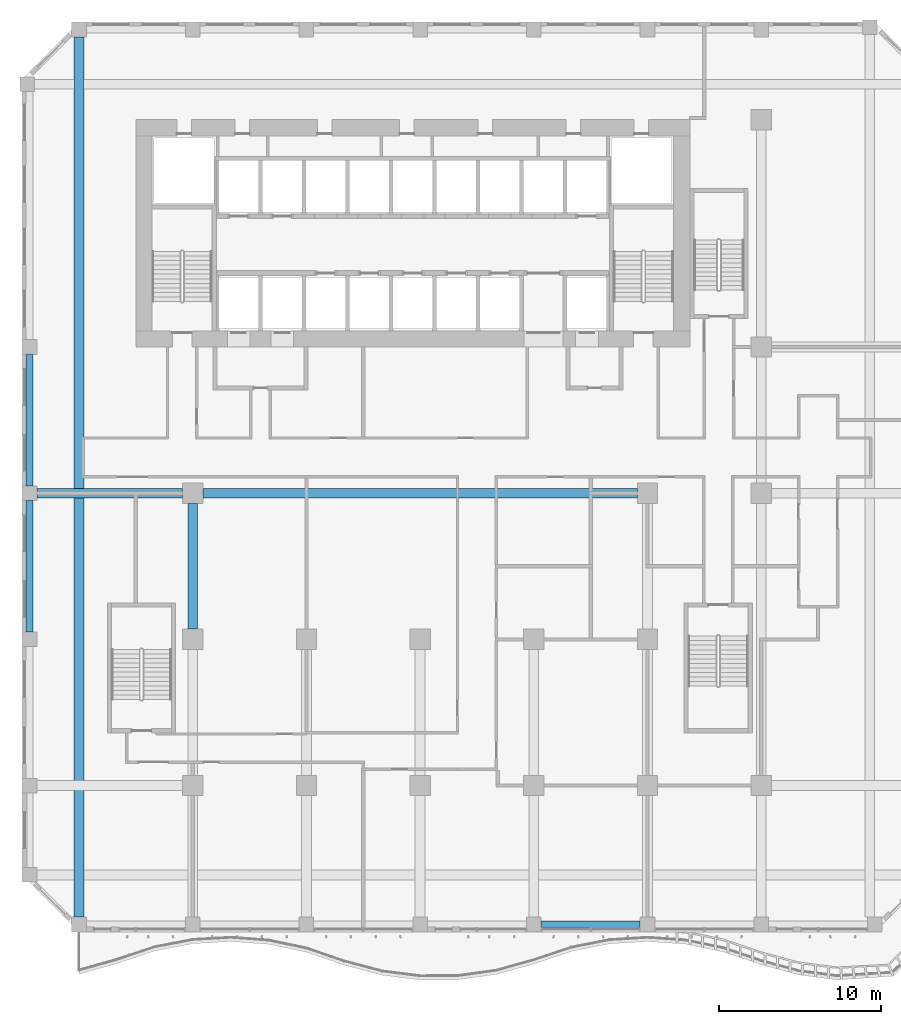
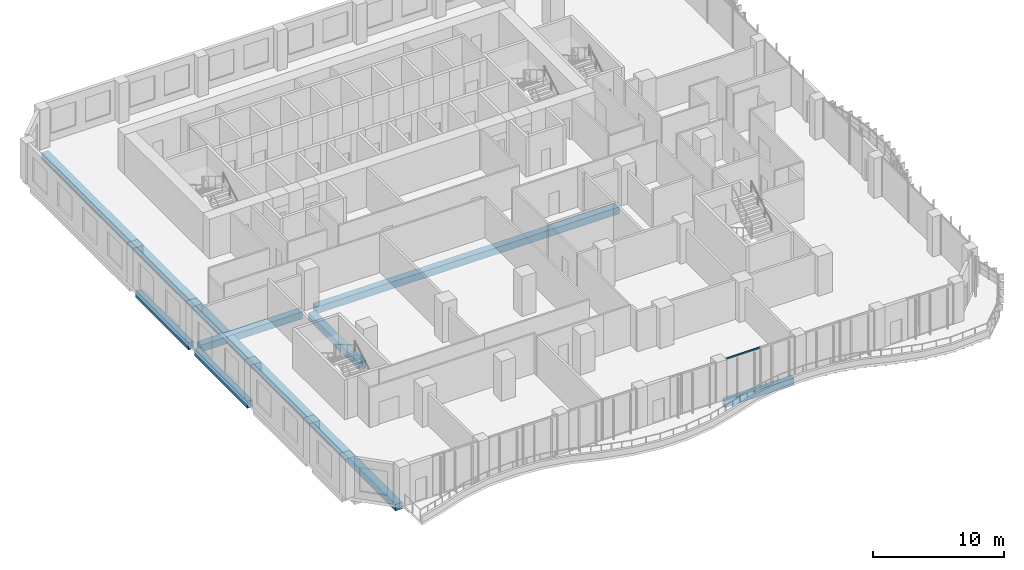
# One storey, part 5 of 28: 7 beams, 1 member, 1 element without a shape of its own.
"""IFC4 building model written with IfcOpenShell, lengths in metres."""

import ifcopenshell
import ifcopenshell.guid

model = None  # the IFC model being written
_history = None  # IfcOwnerHistory: only IFC2X3 demands one
_inside = {}  # id of a spatial element -> (the spatial element, [elements in it])
_under = {}  # id of a project, library or spatial element -> (it, [spatial elements below it])
_declared = {}  # id of a project -> (the project, [libraries it declares])
_typed = {}  # id of a type object -> (the type object, [elements of that type])
_made_of = {}  # id of a material, layer set ... -> (it, [elements and type objects made of it])


def new_model(schema):
    """Start an empty IFC model of exactly this schema.

    Asked for "IFC4X3", IfcOpenShell would pick the latest addendum, in which some entities
    have other attributes; the version numbers below select the first issue.
    IFC2X3 requires an IfcOwnerHistory on every rooted entity: one is made here for all.
    """
    global model, _history
    if schema == "IFC4X3":
        model = ifcopenshell.file(schema_version=(4, 3, 0, 0))
    else:
        model = ifcopenshell.file(schema=schema)
    _inside.clear()
    _under.clear()
    _declared.clear()
    _typed.clear()
    _made_of.clear()
    _history = None
    if model.schema == "IFC2X3":
        org = make("IfcOrganization", Name="unknown")
        user = make(
            "IfcPersonAndOrganization",
            ThePerson=make("IfcPerson", FamilyName="unknown"),
            TheOrganization=org,
        )
        app = make(
            "IfcApplication",
            ApplicationDeveloper=org,
            Version="unknown",
            ApplicationFullName="unknown",
            ApplicationIdentifier="unknown",
        )
        _history = make(
            "IfcOwnerHistory",
            OwningUser=user,
            OwningApplication=app,
            ChangeAction="ADDED",
            CreationDate=0,
        )
    return model


def make(cls, **values):
    """One entity of the class cls with the attributes given. An attribute that is None is left unset."""
    return model.create_entity(
        cls, **{name: value for name, value in values.items() if value is not None}
    )


def rooted(cls, **values):
    """An entity with a GlobalId (a new one), such as an element, a storey or a relation."""
    return make(cls, GlobalId=ifcopenshell.guid.new(), OwnerHistory=_history, **values)


def si_unit(unit_type, name, prefix=None):
    """IfcSIUnit, for example si_unit("LENGTHUNIT", "METRE", prefix="MILLI")."""
    return make("IfcSIUnit", UnitType=unit_type, Prefix=prefix, Name=name)


def assignment(units):
    """IfcUnitAssignment: the units of a project."""
    return None if units is None else make("IfcUnitAssignment", Units=units)


def point(xyz):
    """IfcCartesianPoint."""
    return None if xyz is None else make("IfcCartesianPoint", Coordinates=xyz)


def direction(xyz):
    """IfcDirection."""
    return None if xyz is None else make("IfcDirection", DirectionRatios=xyz)


def frame(location, z_axis=None, x_axis=None):
    """IfcAxis2Placement3D, a coordinate frame: its origin and axes. An axis left out is left unset."""
    return make(
        "IfcAxis2Placement3D",
        Location=point(location),
        Axis=direction(z_axis),
        RefDirection=direction(x_axis),
    )


def frame_2d(location, x_axis=None):
    """IfcAxis2Placement2D, a coordinate frame in the plane: its origin and x axis."""
    return make(
        "IfcAxis2Placement2D", Location=point(location), RefDirection=direction(x_axis)
    )


def origin():
    """The frame at (0, 0, 0) with its axes left unset."""
    return frame((0.0, 0.0, 0.0))


def origin_2d():
    """The frame at (0, 0) in the plane with its x axis left unset."""
    return frame_2d((0.0, 0.0))


def place(relative_to, where):
    """IfcLocalPlacement: puts the frame where relative to a parent placement (None: the world)."""
    return make(
        "IfcLocalPlacement", PlacementRelTo=relative_to, RelativePlacement=where
    )


def context(
    kind, dimensions, precision=None, world=None, true_north=None, identifier=None
):
    """IfcGeometricRepresentationContext, for example the 3D "Model" context."""
    return make(
        "IfcGeometricRepresentationContext",
        ContextIdentifier=identifier,
        ContextType=kind,
        CoordinateSpaceDimension=dimensions,
        Precision=precision,
        WorldCoordinateSystem=world,
        TrueNorth=true_north,
    )


def subcontext(parent, identifier, kind, view, scale=None):
    """IfcGeometricRepresentationSubContext, for example "Body" below "Model"."""
    return make(
        "IfcGeometricRepresentationSubContext",
        ContextIdentifier=identifier,
        ContextType=kind,
        ParentContext=parent,
        TargetScale=scale,
        TargetView=view,
    )


def project(units=None, contexts=None):
    """IfcProject with its units and contexts."""
    return rooted(
        "IfcProject",
        Name="project",
        RepresentationContexts=contexts,
        UnitsInContext=assignment(units),
    )


def spatial(cls, under=None, at=None, **own):
    """A site, building, storey or space (cls), placed at a placement, below another one or the project."""
    s = rooted(cls, ObjectPlacement=at, **own)
    if under is not None:
        _under.setdefault(under.id(), (under, []))[1].append(s)
    return s


def profile(cls, at=None, kind="AREA", **sizes):
    """A parametric profile (cls). Its sizes go by their IFC names, for example OverallWidth=200.0."""
    return make(cls, ProfileType=kind, Position=at, **sizes)


def rectangle(**sizes):
    """IfcRectangleProfileDef."""
    return profile("IfcRectangleProfileDef", **sizes)


def extrude(swept, where, along, depth):
    """IfcExtrudedAreaSolid: the profile swept, set in the frame where, extruded along a direction by depth."""
    return make(
        "IfcExtrudedAreaSolid",
        SweptArea=swept,
        Position=where,
        ExtrudedDirection=direction(along),
        Depth=depth,
    )


def shape(context_of_items, identifier, shape_type, items):
    """IfcShapeRepresentation: the items that make up one representation, for example the "Body"."""
    return make(
        "IfcShapeRepresentation",
        ContextOfItems=context_of_items,
        RepresentationIdentifier=identifier,
        RepresentationType=shape_type,
        Items=items,
    )


def source(mapping_origin, context_of_items, identifier, shape_type, items):
    """IfcRepresentationMap: a shape defined once, which mapped items show again and again."""
    return make(
        "IfcRepresentationMap",
        MappingOrigin=mapping_origin,
        MappedRepresentation=shape(context_of_items, identifier, shape_type, items),
    )


def transform(
    local_origin,
    x_axis=None,
    y_axis=None,
    z_axis=None,
    scale=None,
    scale2=None,
    scale3=None,
    uniform=True,
):
    """IfcCartesianTransformationOperator3D, or its non-uniform kind. x_axis, y_axis, z_axis: its Axis1, 2, 3."""
    if uniform:
        return make(
            "IfcCartesianTransformationOperator3D",
            Axis1=direction(x_axis),
            Axis2=direction(y_axis),
            LocalOrigin=point(local_origin),
            Scale=scale,
            Axis3=direction(z_axis),
        )
    return make(
        "IfcCartesianTransformationOperator3DnonUniform",
        Axis1=direction(x_axis),
        Axis2=direction(y_axis),
        LocalOrigin=point(local_origin),
        Scale=scale,
        Axis3=direction(z_axis),
        Scale2=scale2,
        Scale3=scale3,
    )


def mapped(mapping_source, mapping_target):
    """IfcMappedItem: shows the shape of a source again, moved by a transform."""
    return make(
        "IfcMappedItem", MappingSource=mapping_source, MappingTarget=mapping_target
    )


def material(Name=None, Category=None):
    """IfcMaterial."""
    return make("IfcMaterial", Name=Name, Category=Category)


def material_profile(
    of_material, cross_section, Name=None, Category=None, Priority=None
):
    """IfcMaterialProfile: a cross section and its material."""
    return make(
        "IfcMaterialProfile",
        Name=Name,
        Material=of_material,
        Profile=cross_section,
        Priority=Priority,
        Category=Category,
    )


def profile_set(profiles, Name=None, composite=None):
    """IfcMaterialProfileSet."""
    return make(
        "IfcMaterialProfileSet",
        Name=Name,
        MaterialProfiles=profiles,
        CompositeProfile=composite,
    )


def made_of(thing, what):
    """Note that an element or type object is made of a material, layer set ...; save() writes the relation."""
    if what is not None:
        _made_of.setdefault(what.id(), (what, []))[1].append(thing)
    return thing


def type_object(cls, material=None, **own):
    """A type object (cls), such as IfcWallType, which elements share."""
    return made_of(rooted(cls, **own), material)


def element(
    cls,
    number,
    at=None,
    inside=None,
    cuts=None,
    type_object=None,
    material=None,
    context=None,
    identifier="Body",
    shape_type=None,
    held_by="IfcProductDefinitionShape",
    body=None,
    shapes=None,
    **own,
):
    """One element of the class cls, such as IfcWall. Its Tag is "e" and its number.

    at: its placement. inside: the storey or other place that contains it. cuts: it is an
    opening in that element (IfcRelVoidsElement). A single representation is given by context,
    identifier, shape_type and body (its items); several are given by shapes. held_by: the class
    of the entity that holds the representations. save() writes the other relations.
    """
    e = rooted(cls, Tag="e%d" % number, ObjectPlacement=at, **own)
    if body is not None:
        shapes = [shape(context, identifier, shape_type, body)]
    if shapes is not None:
        e.Representation = make(held_by, Representations=shapes)
    if inside is not None:
        _inside.setdefault(inside.id(), (inside, []))[1].append(e)
    if cuts is not None:
        rooted(
            "IfcRelVoidsElement", RelatingBuildingElement=cuts, RelatedOpeningElement=e
        )
    if type_object is not None:
        _typed.setdefault(type_object.id(), (type_object, []))[1].append(e)
    return made_of(e, material)


def aggregate(whole, parts):
    """IfcRelAggregates: a whole, such as a stair, and the parts it consists of."""
    return rooted("IfcRelAggregates", RelatingObject=whole, RelatedObjects=parts)


def save(model, path):
    """Write the relations noted so far, then the file.

    IfcRelAggregates (storeys below a building ...), IfcRelContainedInSpatialStructure (elements
    in a storey), IfcRelDefinesByType, IfcRelAssociatesMaterial and IfcRelDeclares: one each for
    every whole, place, type object, material and project.
    """
    for whole, parts in _under.values():
        aggregate(whole, parts)
    for where, things in _inside.values():
        rooted(
            "IfcRelContainedInSpatialStructure",
            RelatedElements=things,
            RelatingStructure=where,
        )
    for kind, things in _typed.values():
        rooted("IfcRelDefinesByType", RelatedObjects=things, RelatingType=kind)
    for what, things in _made_of.values():
        rooted("IfcRelAssociatesMaterial", RelatedObjects=things, RelatingMaterial=what)
    for by, libraries in _declared.values():
        rooted("IfcRelDeclares", RelatingContext=by, RelatedDefinitions=libraries)
    model.write(path)


model = new_model("IFC4")

# Units and contexts
model_context = context("Model", 3, precision=1e-05, world=origin(), true_north=direction((0.0, 1.0)))
body_context = subcontext(model_context, "Body", "Model", "MODEL_VIEW")
ifc_project = project(units=[si_unit("LENGTHUNIT", "METRE"), si_unit("AREAUNIT", "SQUARE_METRE"), si_unit("VOLUMEUNIT", "CUBIC_METRE"), si_unit("PLANEANGLEUNIT", "RADIAN"), si_unit("MASSUNIT", "GRAM", prefix="KILO")], contexts=[model_context])

# Site, building, storey
site_placement = place(None, origin())
site = spatial("IfcSite", under=ifc_project, at=site_placement, CompositionType="ELEMENT")
building_placement = place(site_placement, origin())
building = spatial("IfcBuilding", under=site, at=building_placement, Name="Kilnfold Tower and Market Hall", CompositionType="ELEMENT")
storey_placement = place(building_placement, frame((0.0, 0.0, 87.199951171875)))
storey = spatial("IfcBuildingStorey", under=building, at=storey_placement, Name="L20", CompositionType="ELEMENT", Elevation=87.199951171875)

# Beams
ifc_material_1 = material(Name="Concrete C45", Category="concrete")
ifc_material_profile_1 = material_profile(ifc_material_1, rectangle(XDim=0.449951171875, YDim=0.64990234375, at=origin_2d()), Name="RC 450x650")
ifc_profile_set_1 = profile_set([ifc_material_profile_1], Name="Concrete C45")
beam_type_1 = type_object("IfcBeamType", Name="EDGE BEAM 450X650 C45", PredefinedType="BEAM", material=ifc_profile_set_1)
shared_shape_1 = source(origin(), body_context, "Body", "SweptSolid", [
    extrude(rectangle(XDim=0.449951171875, YDim=0.64990234375, at=origin_2d()), origin(), (0.0, 0.0, 1.0), 6.10009765625),
])
beam_1_placement = place(storey_placement, frame((8.949951171875, -27.550048828125, -0.60498046875), z_axis=(1.0, 0.0, 0.0), x_axis=(0.0, 1.0, 0.0)))
element("IfcBeam", 1, at=beam_1_placement, inside=storey, type_object=beam_type_1, Name="Beam EB650-B2.64", PredefinedType="BEAM", context=body_context, shape_type="MappedRepresentation", body=[
    mapped(shared_shape_1, transform((0.0, 0.0, 0.0))),
])
shared_shape_2 = source(origin(), body_context, "Body", "SweptSolid", [
    extrude(rectangle(XDim=0.449951171875, YDim=0.64990234375, at=origin_2d()), origin(), (0.0, 0.0, 1.0), 8.10009765625),
])
for number, where, z_axis, x_axis, name in (
    (2, (-22.550048828125, -9.550048828125, -0.60498046875), (0.0, 1.0, 0.0), (-1.0, 0.0, 0.0), "Beam EB650-B2.39"),
    (3, (-22.550048828125, -0.550048828125, -0.60498046875), (0.0, 1.0, 0.0), (-1.0, 0.0, 0.0), "Beam EB650-B2.40"),
):
    element("IfcBeam", number, at=place(storey_placement, frame(where, z_axis=z_axis, x_axis=x_axis)), inside=storey, type_object=beam_type_1, Name=name, PredefinedType="BEAM", context=body_context, shape_type="MappedRepresentation", body=[
        mapped(shared_shape_2, transform((0.0, 0.0, 0.0))),
    ])
ifc_material_2 = material(Name="Concrete C45", Category="concrete")
ifc_material_profile_2 = material_profile(ifc_material_2, rectangle(XDim=0.60009765625, YDim=0.64990234375, at=origin_2d()), Name="RC 600x650")
ifc_profile_set_2 = profile_set([ifc_material_profile_2], Name="Concrete C45")
beam_type_2 = type_object("IfcBeamType", Name="BEAM 600X650 C45", PredefinedType="BEAM", material=ifc_profile_set_2)
shared_shape_3 = source(origin(), body_context, "Body", "SweptSolid", [
    extrude(rectangle(XDim=0.60009765625, YDim=0.64990234375, at=origin_2d()), origin(), (0.0, 0.0, 1.0), 54.2001953125),
])
beam_2_placement = place(storey_placement, frame((-19.5, -27.10009765625, -0.60498046875), z_axis=(0.0, 1.0, 0.0), x_axis=(-1.0, 0.0, 0.0)))
element("IfcBeam", 4, at=beam_2_placement, inside=storey, type_object=beam_type_2, Name="Beam BB650-B2.42", PredefinedType="BEAM", context=body_context, shape_type="MappedRepresentation", body=[
    mapped(shared_shape_3, transform((0.0, 0.0, 0.0))),
])
shared_shape_4 = source(origin(), body_context, "Body", "SweptSolid", [
    extrude(rectangle(XDim=0.60009765625, YDim=0.64990234375, at=origin_2d()), origin(), (0.0, 0.0, 1.0), 8.97509765625),
])
beam_3_placement = place(storey_placement, frame((-22.10009765625, -1.0, -0.60498046875), z_axis=(1.0, 0.0, 0.0), x_axis=(0.0, 1.0, 0.0)))
element("IfcBeam", 5, at=beam_3_placement, inside=storey, type_object=beam_type_2, Name="Beam BB650-B2.70", PredefinedType="BEAM", context=body_context, shape_type="MappedRepresentation", body=[
    mapped(shared_shape_4, transform((0.0, 0.0, 0.0))),
])
shared_shape_5 = source(origin(), body_context, "Body", "SweptSolid", [
    extrude(rectangle(XDim=0.60009765625, YDim=0.64990234375, at=origin_2d()), origin(), (0.0, 0.0, 1.0), 26.75),
])
beam_4_placement = place(storey_placement, frame((-11.875, -1.0, -0.60498046875), z_axis=(1.0, 0.0, 0.0), x_axis=(0.0, 1.0, 0.0)))
element("IfcBeam", 6, at=beam_4_placement, inside=storey, type_object=beam_type_2, Name="Beam BB650-B2.71", PredefinedType="BEAM", context=body_context, shape_type="MappedRepresentation", body=[
    mapped(shared_shape_5, transform((0.0, 0.0, 0.0))),
])
shared_shape_6 = source(origin(), body_context, "Body", "SweptSolid", [
    extrude(rectangle(XDim=0.60009765625, YDim=0.64990234375, at=origin_2d()), origin(), (0.0, 0.0, 1.0), 7.75),
])
beam_5_placement = place(storey_placement, frame((-12.5, -9.375, -0.60498046875), z_axis=(0.0, 1.0, 0.0), x_axis=(-1.0, 0.0, 0.0)))
element("IfcBeam", 7, at=beam_5_placement, inside=storey, type_object=beam_type_2, Name="Beam BB650-B2.84", PredefinedType="BEAM", context=body_context, shape_type="MappedRepresentation", body=[
    mapped(shared_shape_6, transform((0.0, 0.0, 0.0))),
])

# Curtain wall, member
ifc_material_3 = material(Name="Aluminium and double glazing", Category="aluminium")
curtain_wall_type = type_object("IfcCurtainWallType", Name="CW OF1 VALLEY GLAZING", PredefinedType="NOTDEFINED", material=ifc_material_3)
curtain_wall_placement = place(storey_placement, origin())
curtain_wall = element("IfcCurtainWall", 8, at=curtain_wall_placement, inside=storey, type_object=curtain_wall_type, Name="Curtain wall CW1 L20 S", PredefinedType="NOTDEFINED")
ifc_material_4 = material(Name="Aluminium", Category="aluminium")
ifc_material_profile_3 = material_profile(ifc_material_4, rectangle(XDim=0.06005859375, YDim=0.139892578125, at=origin_2d()), Name="TRANSOM 60x140")
ifc_profile_set_3 = profile_set([ifc_material_profile_3], Name="Aluminium")
member_type = type_object("IfcMemberType", Name="TRANSOM 60X140", PredefinedType="USERDEFINED", material=ifc_profile_set_3)
shared_shape_7 = source(origin(), body_context, "Body", "SweptSolid", [
    extrude(rectangle(XDim=0.06005859375, YDim=0.139892578125, at=origin_2d()), origin(), (0.0, 0.0, 1.0), 2.929931640625),
])
member_placement = place(storey_placement, frame((9.010009765625, -27.85009765625, 3.68994140625), z_axis=(1.0, 0.0, 0.0), x_axis=(0.0, 1.0, 0.0)))
member = element("IfcMember", 9, at=member_placement, type_object=member_type, Name="CW1 transom 1.2", ObjectType="TRANSOM", PredefinedType="USERDEFINED", context=body_context, shape_type="MappedRepresentation", body=[
    mapped(shared_shape_7, transform((0.0, 0.0, 0.0))),
])
aggregate(curtain_wall, [member])

save(model, "model.ifc")
